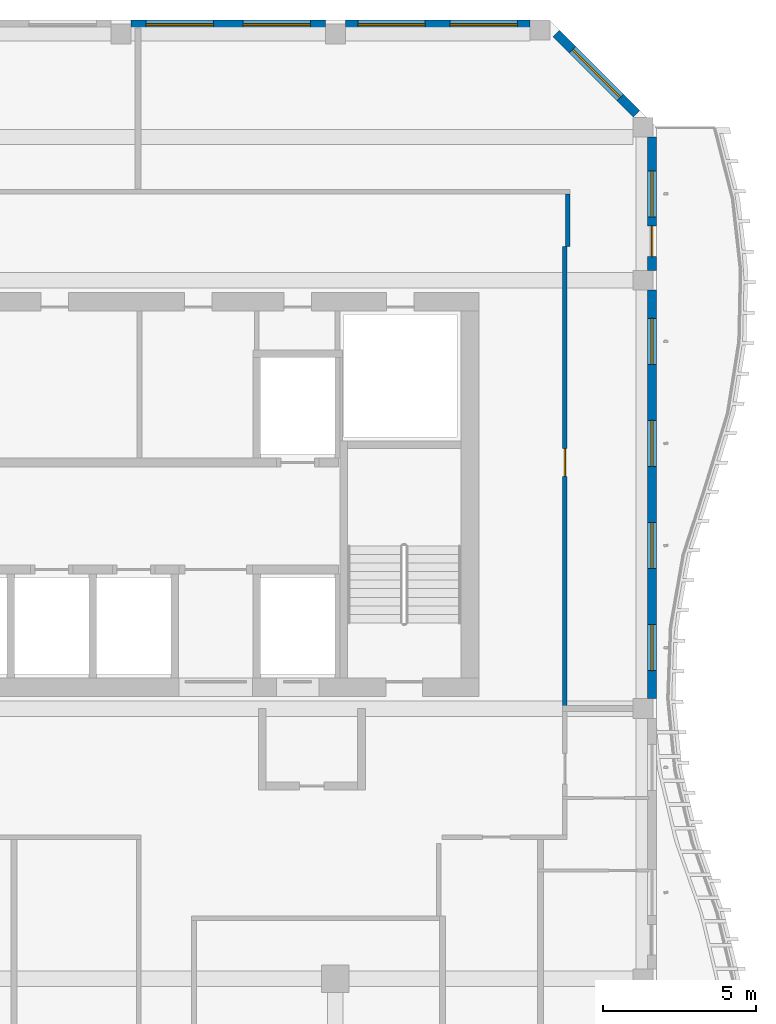
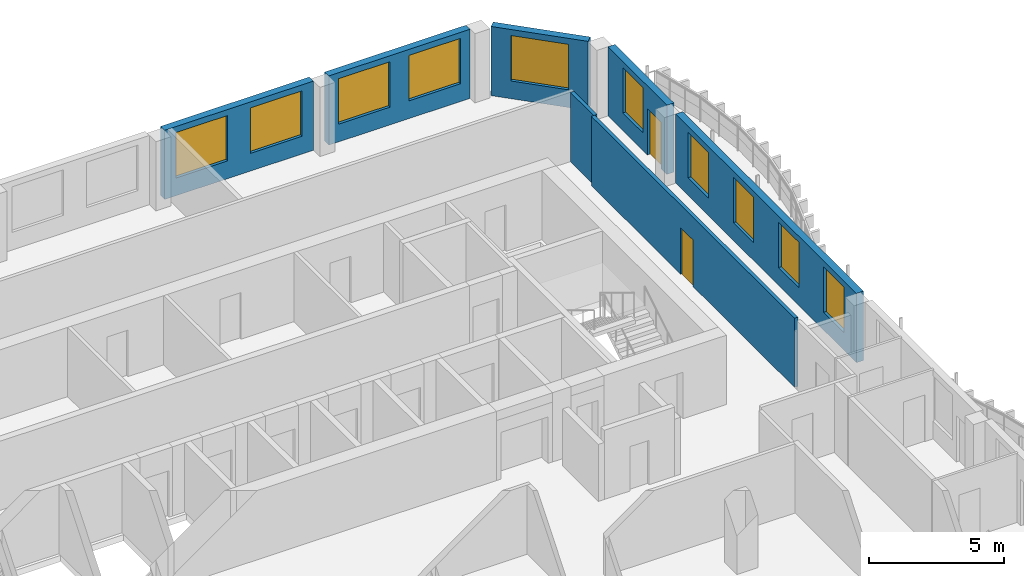
# One storey, part 9 of 18: 10 windows, 7 walls, 2 doors, 12 openings.
"""IFC4 building model written with IfcOpenShell, lengths in metres."""

from ifc_helpers import new_model, si_unit, direction, frame, frame_2d, origin, place, context, subcontext, project, spatial, rectangle, extrude, source, transform, mapped, material, layer, layer_set, type_object, element, fill, save


model = new_model("IFC4")

# Units and contexts
model_context = context("Model", 3, precision=1e-05, world=origin(), true_north=direction((0.0, 1.0)))
body_context = subcontext(model_context, "Body", "Model", "MODEL_VIEW")
ifc_project = project(units=[si_unit("LENGTHUNIT", "METRE"), si_unit("AREAUNIT", "SQUARE_METRE"), si_unit("VOLUMEUNIT", "CUBIC_METRE"), si_unit("PLANEANGLEUNIT", "RADIAN"), si_unit("MASSUNIT", "GRAM", prefix="KILO")], contexts=[model_context])

# Site, building, storey
site_placement = place(None, origin())
site = spatial("IfcSite", under=ifc_project, at=site_placement, CompositionType="ELEMENT")
building_placement = place(site_placement, origin())
building = spatial("IfcBuilding", under=site, at=building_placement, Name="Kilnfold Tower and Market Hall", CompositionType="ELEMENT")
storey_placement = place(building_placement, frame((0.0, 0.0, 270.39990234375)))
storey = spatial("IfcBuildingStorey", under=building, at=storey_placement, Name="L66", CompositionType="ELEMENT", Elevation=270.39990234375)

# Wall
ifc_material_1 = material(Name="Gypsum board on steel studs", Category="steel")
ifc_layer_1 = layer(ifc_material_1, 0.14990234375)
ifc_layer_set_1 = layer_set([ifc_layer_1], Name="Gypsum board on steel studs")
wall_type_1 = type_object("IfcWallType", Name="WALL CORRIDOR 150", PredefinedType="PARTITIONING", material=ifc_layer_set_1)
wall_1_placement = place(storey_placement, frame((20.60009765625, 23.10009765625, 0.0), z_axis=(0.0, 0.0, 1.0), x_axis=(0.0, 1.0, 0.0)))
element("IfcWall", 1, at=wall_1_placement, inside=storey, type_object=wall_type_1, Name="Partition LY41.20", PredefinedType="PARTITIONING", context=body_context, shape_type="SweptSolid", body=[
    extrude(rectangle(XDim=1.724853515625, YDim=0.14990234375, at=frame_2d((0.8623046875, 0.0))), origin(), (0.0, 0.0, 1.0), 3.1201171875),
])

# Wall, opening, door
wall_2_placement = place(storey_placement, frame((20.5, 8.090087890625, 0.0), z_axis=(0.0, 0.0, 1.0), x_axis=(0.0, 1.0, 0.0)))
wall_2 = element("IfcWall", 2, at=wall_2_placement, inside=storey, type_object=wall_type_1, Name="Partition LY41.21", PredefinedType="PARTITIONING", context=body_context, shape_type="SweptSolid", body=[
    extrude(rectangle(XDim=15.010009765625, YDim=0.14990234375, at=frame_2d((7.5048828125, 0.0))), origin(), (0.0, 0.0, 1.0), 3.1201171875),
])
opening_1_placement = place(wall_2_placement, frame((7.5048828125, 0.0, 0.0)))
opening_1 = element("IfcOpeningElement", 3, at=opening_1_placement, cuts=wall_2, Name="Opening D2", PredefinedType="OPENING", context=body_context, shape_type="SweptSolid", body=[
    extrude(rectangle(XDim=0.89990234375, YDim=2.10009765625, at=frame_2d((0.449951171875, 1.050048828125))), frame((0.0, 0.0849609375, 0.0), z_axis=(0.0, -1.0, 0.0), x_axis=(1.0, 0.0, 0.0)), (0.0, 0.0, 1.0), 0.169921875),
])
ifc_material_2 = material(Name="Timber veneer door leaf in steel frame", Category="steel")
door_type_1 = type_object("IfcDoorType", Name="DOOR ROOM 900 X2100", OperationType="NOTDEFINED", PredefinedType="DOOR", material=ifc_material_2)
door_1_placement = place(opening_1_placement, origin())
door_1 = element("IfcDoor", 4, at=door_1_placement, inside=storey, type_object=door_type_1, Name="Door D2", OperationType="SINGLE_SWING_RIGHT", OverallHeight=2.10009765625, OverallWidth=0.89990234375, PredefinedType="DOOR", context=body_context, shape_type="SweptSolid", body=[
    extrude(rectangle(XDim=0.89990234375, YDim=2.10009765625, at=frame_2d((0.449951171875, 1.050048828125))), frame((0.0, 0.02490234375, 0.0), z_axis=(0.0, -1.0, 0.0), x_axis=(1.0, 0.0, 0.0)), (0.0, 0.0, 1.0), 0.050048828125),
])
fill(opening_1, door_1)

# Wall, openings, windows
ifc_material_3 = material(Name="Precast concrete C50/60", Category="concrete")
ifc_layer_2 = layer(ifc_material_3, 0.300048828125)
ifc_layer_set_2 = layer_set([ifc_layer_2], Name="Precast concrete C50/60")
wall_type_2 = type_object("IfcWallType", Name="PRECAST WALL 300", PredefinedType="SOLIDWALL", material=ifc_layer_set_2)
shared_shape_1 = source(origin(), body_context, "Body", "SweptSolid", [
    extrude(rectangle(XDim=6.35009765625, YDim=0.300048828125, at=frame_2d((3.175048828125, 0.0))), origin(), (0.0, 0.0, 1.0), 3.1201171875),
])
wall_3_placement = place(storey_placement, frame((12.675048828125, 30.35009765625, 0.0), z_axis=(0.0, 0.0, 1.0), x_axis=(-1.0, 0.0, 0.0)))
wall_3 = element("IfcWall", 5, at=wall_3_placement, inside=storey, type_object=wall_type_2, Name="External wall L66 N", PredefinedType="SOLIDWALL", context=body_context, shape_type="MappedRepresentation", body=[
    mapped(shared_shape_1, transform((0.0, 0.0, 0.0))),
])
opening_2_placement = place(wall_3_placement, frame((0.487548828125, 0.0, 0.800048828125)))
opening_2 = element("IfcOpeningElement", 6, at=opening_2_placement, cuts=wall_3, Name="Opening W3", PredefinedType="OPENING", context=body_context, shape_type="SweptSolid", body=[
    extrude(rectangle(XDim=2.199951171875, YDim=2.050048828125, at=frame_2d((1.10009765625, 1.02490234375))), frame((0.0, 0.16015625, 0.0), z_axis=(0.0, -1.0, 0.0), x_axis=(1.0, 0.0, 0.0)), (0.0, 0.0, 1.0), 0.320068359375),
])
opening_3_placement = place(wall_3_placement, frame((3.66259765625, 0.0, 0.800048828125)))
opening_3 = element("IfcOpeningElement", 7, at=opening_3_placement, cuts=wall_3, Name="Opening W3", PredefinedType="OPENING", context=body_context, shape_type="SweptSolid", body=[
    extrude(rectangle(XDim=2.199951171875, YDim=2.050048828125, at=frame_2d((1.10009765625, 1.02490234375))), frame((0.0, 0.16015625, 0.0), z_axis=(0.0, -1.0, 0.0), x_axis=(1.0, 0.0, 0.0)), (0.0, 0.0, 1.0), 0.320068359375),
])
ifc_material_4 = material(Name="Aluminium frame and double glazing", Category="aluminium")
window_type_1 = type_object("IfcWindowType", Name="WINDOW W3 2200X2050", PartitioningType="SINGLE_PANEL", PredefinedType="WINDOW", material=ifc_material_4)
window_1_placement = place(opening_2_placement, origin())
window_1 = element("IfcWindow", 8, at=window_1_placement, inside=storey, type_object=window_type_1, Name="Window W3 L66 N-1", OverallHeight=2.050048828125, OverallWidth=2.199951171875, PartitioningType="SINGLE_PANEL", PredefinedType="WINDOW", context=body_context, shape_type="SweptSolid", body=[
    extrude(rectangle(XDim=2.199951171875, YDim=2.050048828125, at=frame_2d((1.10009765625, 1.02490234375))), frame((0.0, 0.030029296875, 0.0), z_axis=(0.0, -1.0, 0.0), x_axis=(1.0, 0.0, 0.0)), (0.0, 0.0, 1.0), 0.06005859375),
])
fill(opening_2, window_1)
window_2_placement = place(opening_3_placement, origin())
window_2 = element("IfcWindow", 9, at=window_2_placement, inside=storey, type_object=window_type_1, Name="Window W3 L66 N-2", OverallHeight=2.050048828125, OverallWidth=2.199951171875, PartitioningType="SINGLE_PANEL", PredefinedType="WINDOW", context=body_context, shape_type="SweptSolid", body=[
    extrude(rectangle(XDim=2.199951171875, YDim=2.050048828125, at=frame_2d((1.10009765625, 1.02490234375))), frame((0.0, 0.030029296875, 0.0), z_axis=(0.0, -1.0, 0.0), x_axis=(1.0, 0.0, 0.0)), (0.0, 0.0, 1.0), 0.06005859375),
])
fill(opening_3, window_2)

# Wall, opening, window
shared_shape_2 = source(origin(), body_context, "Body", "SweptSolid", [
    extrude(rectangle(XDim=3.71240234375, YDim=0.300048828125, at=frame_2d((1.856201171875, 0.0))), origin(), (0.0, 0.0, 1.0), 3.1201171875),
])
wall_4_placement = place(storey_placement, frame((22.843994140625, 27.44384765625, 0.0), z_axis=(0.0, 0.0, 1.0), x_axis=(-0.707106781187, 0.707106781187, 0.0)))
wall_4 = element("IfcWall", 10, at=wall_4_placement, inside=storey, type_object=wall_type_2, Name="External wall L66 NE", PredefinedType="SOLIDWALL", context=body_context, shape_type="MappedRepresentation", body=[
    mapped(shared_shape_2, transform((0.0, 0.0, 0.0))),
])
opening_4_placement = place(wall_4_placement, frame((0.756103515625, 0.0, 0.800048828125)))
opening_4 = element("IfcOpeningElement", 11, at=opening_4_placement, cuts=wall_4, Name="Opening W3", PredefinedType="OPENING", context=body_context, shape_type="SweptSolid", body=[
    extrude(rectangle(XDim=2.199951171875, YDim=2.050048828125, at=frame_2d((1.10009765625, 1.02490234375))), frame((0.0, 0.16015625, 0.0), z_axis=(0.0, -1.0, 0.0), x_axis=(1.0, 0.0, 0.0)), (0.0, 0.0, 1.0), 0.320068359375),
])
window_3_placement = place(opening_4_placement, origin())
window_3 = element("IfcWindow", 12, at=window_3_placement, inside=storey, type_object=window_type_1, Name="Window W3 L66 NE-1", OverallHeight=2.050048828125, OverallWidth=2.199951171875, PartitioningType="SINGLE_PANEL", PredefinedType="WINDOW", context=body_context, shape_type="SweptSolid", body=[
    extrude(rectangle(XDim=2.199951171875, YDim=2.050048828125, at=frame_2d((1.10009765625, 1.02490234375))), frame((0.0, 0.030029296875, 0.0), z_axis=(0.0, -1.0, 0.0), x_axis=(1.0, 0.0, 0.0)), (0.0, 0.0, 1.0), 0.06005859375),
])
fill(opening_4, window_3)

# Wall, openings, windows
shared_shape_3 = source(origin(), body_context, "Body", "SweptSolid", [
    extrude(rectangle(XDim=13.35009765625, YDim=0.300048828125, at=frame_2d((6.675048828125, 0.0))), origin(), (0.0, 0.0, 1.0), 3.1201171875),
])
wall_5_placement = place(storey_placement, frame((23.35009765625, 8.324951171875, 0.0), z_axis=(0.0, 0.0, 1.0), x_axis=(0.0, 1.0, 0.0)))
wall_5 = element("IfcWall", 13, at=wall_5_placement, inside=storey, type_object=wall_type_2, Name="External wall L66 E", PredefinedType="SOLIDWALL", context=body_context, shape_type="MappedRepresentation", body=[
    mapped(shared_shape_3, transform((0.0, 0.0, 0.0))),
])
opening_5_placement = place(wall_5_placement, frame((0.918701171875, 0.0, 0.800048828125)))
opening_5 = element("IfcOpeningElement", 14, at=opening_5_placement, cuts=wall_5, Name="Opening W5", PredefinedType="OPENING", context=body_context, shape_type="SweptSolid", body=[
    extrude(rectangle(XDim=1.5, YDim=2.050048828125, at=frame_2d((0.75, 1.02490234375))), frame((0.0, 0.16015625, 0.0), z_axis=(0.0, -1.0, 0.0), x_axis=(1.0, 0.0, 0.0)), (0.0, 0.0, 1.0), 0.320068359375),
])
opening_6_placement = place(wall_5_placement, frame((4.25634765625, 0.0, 0.800048828125)))
opening_6 = element("IfcOpeningElement", 15, at=opening_6_placement, cuts=wall_5, Name="Opening W5", PredefinedType="OPENING", context=body_context, shape_type="SweptSolid", body=[
    extrude(rectangle(XDim=1.5, YDim=2.050048828125, at=frame_2d((0.75, 1.02490234375))), frame((0.0, 0.16015625, 0.0), z_axis=(0.0, -1.0, 0.0), x_axis=(1.0, 0.0, 0.0)), (0.0, 0.0, 1.0), 0.320068359375),
])
opening_7_placement = place(wall_5_placement, frame((7.59375, 0.0, 0.800048828125)))
opening_7 = element("IfcOpeningElement", 16, at=opening_7_placement, cuts=wall_5, Name="Opening W5", PredefinedType="OPENING", context=body_context, shape_type="SweptSolid", body=[
    extrude(rectangle(XDim=1.5, YDim=2.050048828125, at=frame_2d((0.75, 1.02490234375))), frame((0.0, 0.16015625, 0.0), z_axis=(0.0, -1.0, 0.0), x_axis=(1.0, 0.0, 0.0)), (0.0, 0.0, 1.0), 0.320068359375),
])
opening_8_placement = place(wall_5_placement, frame((10.93115234375, 0.0, 0.800048828125)))
opening_8 = element("IfcOpeningElement", 17, at=opening_8_placement, cuts=wall_5, Name="Opening W5", PredefinedType="OPENING", context=body_context, shape_type="SweptSolid", body=[
    extrude(rectangle(XDim=1.5, YDim=2.050048828125, at=frame_2d((0.75, 1.02490234375))), frame((0.0, 0.16015625, 0.0), z_axis=(0.0, -1.0, 0.0), x_axis=(1.0, 0.0, 0.0)), (0.0, 0.0, 1.0), 0.320068359375),
])
ifc_material_5 = material(Name="Aluminium frame and double glazing", Category="aluminium")
window_type_2 = type_object("IfcWindowType", Name="WINDOW W5 1500X2050", PartitioningType="SINGLE_PANEL", PredefinedType="WINDOW", material=ifc_material_5)
window_4_placement = place(opening_5_placement, origin())
window_4 = element("IfcWindow", 18, at=window_4_placement, inside=storey, type_object=window_type_2, Name="Window W5 L66 E-1", OverallHeight=2.050048828125, OverallWidth=1.5, PartitioningType="SINGLE_PANEL", PredefinedType="WINDOW", context=body_context, shape_type="SweptSolid", body=[
    extrude(rectangle(XDim=1.5, YDim=2.050048828125, at=frame_2d((0.75, 1.02490234375))), frame((0.0, 0.030029296875, 0.0), z_axis=(0.0, -1.0, 0.0), x_axis=(1.0, 0.0, 0.0)), (0.0, 0.0, 1.0), 0.06005859375),
])
fill(opening_5, window_4)
window_5_placement = place(opening_6_placement, origin())
window_5 = element("IfcWindow", 19, at=window_5_placement, inside=storey, type_object=window_type_2, Name="Window W5 L66 E-2", OverallHeight=2.050048828125, OverallWidth=1.5, PartitioningType="SINGLE_PANEL", PredefinedType="WINDOW", context=body_context, shape_type="SweptSolid", body=[
    extrude(rectangle(XDim=1.5, YDim=2.050048828125, at=frame_2d((0.75, 1.02490234375))), frame((0.0, 0.030029296875, 0.0), z_axis=(0.0, -1.0, 0.0), x_axis=(1.0, 0.0, 0.0)), (0.0, 0.0, 1.0), 0.06005859375),
])
fill(opening_6, window_5)
window_6_placement = place(opening_7_placement, origin())
window_6 = element("IfcWindow", 20, at=window_6_placement, inside=storey, type_object=window_type_2, Name="Window W5 L66 E-3", OverallHeight=2.050048828125, OverallWidth=1.5, PartitioningType="SINGLE_PANEL", PredefinedType="WINDOW", context=body_context, shape_type="SweptSolid", body=[
    extrude(rectangle(XDim=1.5, YDim=2.050048828125, at=frame_2d((0.75, 1.02490234375))), frame((0.0, 0.030029296875, 0.0), z_axis=(0.0, -1.0, 0.0), x_axis=(1.0, 0.0, 0.0)), (0.0, 0.0, 1.0), 0.06005859375),
])
fill(opening_7, window_6)
window_7_placement = place(opening_8_placement, origin())
window_7 = element("IfcWindow", 21, at=window_7_placement, inside=storey, type_object=window_type_2, Name="Window W5 L66 E-4", OverallHeight=2.050048828125, OverallWidth=1.5, PartitioningType="SINGLE_PANEL", PredefinedType="WINDOW", context=body_context, shape_type="SweptSolid", body=[
    extrude(rectangle(XDim=1.5, YDim=2.050048828125, at=frame_2d((0.75, 1.02490234375))), frame((0.0, 0.030029296875, 0.0), z_axis=(0.0, -1.0, 0.0), x_axis=(1.0, 0.0, 0.0)), (0.0, 0.0, 1.0), 0.06005859375),
])
fill(opening_8, window_7)

# Wall, openings, door, window
shared_shape_4 = source(origin(), body_context, "Body", "SweptSolid", [
    extrude(rectangle(XDim=4.35009765625, YDim=0.300048828125, at=frame_2d((2.175048828125, 0.0))), origin(), (0.0, 0.0, 1.0), 3.1201171875),
])
wall_6_placement = place(storey_placement, frame((23.35009765625, 22.324951171875, 0.0), z_axis=(0.0, 0.0, 1.0), x_axis=(0.0, 1.0, 0.0)))
wall_6 = element("IfcWall", 22, at=wall_6_placement, inside=storey, type_object=wall_type_2, Name="External wall L66 E", PredefinedType="SOLIDWALL", context=body_context, shape_type="MappedRepresentation", body=[
    mapped(shared_shape_4, transform((0.0, 0.0, 0.0))),
])
opening_9_placement = place(wall_6_placement, frame((1.75, 0.0, 0.800048828125)))
opening_9 = element("IfcOpeningElement", 23, at=opening_9_placement, cuts=wall_6, Name="Opening W5", PredefinedType="OPENING", context=body_context, shape_type="SweptSolid", body=[
    extrude(rectangle(XDim=1.5, YDim=2.050048828125, at=frame_2d((0.75, 1.02490234375))), frame((0.0, 0.16015625, 0.0), z_axis=(0.0, -1.0, 0.0), x_axis=(1.0, 0.0, 0.0)), (0.0, 0.0, 1.0), 0.320068359375),
])
opening_10_placement = place(wall_6_placement, frame((0.449951171875, 0.0, 0.0)))
opening_10 = element("IfcOpeningElement", 24, at=opening_10_placement, cuts=wall_6, Name="Opening BD1", PredefinedType="OPENING", context=body_context, shape_type="SweptSolid", body=[
    extrude(rectangle(XDim=1.0, YDim=2.10009765625, at=frame_2d((0.5, 1.050048828125))), frame((0.0, 0.16015625, 0.0), z_axis=(0.0, -1.0, 0.0), x_axis=(1.0, 0.0, 0.0)), (0.0, 0.0, 1.0), 0.320068359375),
])
ifc_material_6 = material(Name="Aluminium frame and double glazing", Category="aluminium")
door_type_2 = type_object("IfcDoorType", Name="BALCONY DOOR 1000X2100", OperationType="NOTDEFINED", PredefinedType="DOOR", material=ifc_material_6)
door_2_placement = place(opening_10_placement, origin())
door_2 = element("IfcDoor", 25, at=door_2_placement, inside=storey, type_object=door_type_2, Name="Balcony door BD1 L66 E-1", OperationType="SINGLE_SWING_LEFT", OverallHeight=2.10009765625, OverallWidth=1.0, PredefinedType="DOOR", context=body_context, shape_type="SweptSolid", body=[
    extrude(rectangle(XDim=1.0, YDim=2.10009765625, at=frame_2d((0.5, 1.050048828125))), frame((0.0, 0.02490234375, 0.0), z_axis=(0.0, -1.0, 0.0), x_axis=(1.0, 0.0, 0.0)), (0.0, 0.0, 1.0), 0.050048828125),
])
fill(opening_10, door_2)
window_8_placement = place(opening_9_placement, origin())
window_8 = element("IfcWindow", 26, at=window_8_placement, inside=storey, type_object=window_type_2, Name="Window W5 L66 E-1", OverallHeight=2.050048828125, OverallWidth=1.5, PartitioningType="SINGLE_PANEL", PredefinedType="WINDOW", context=body_context, shape_type="SweptSolid", body=[
    extrude(rectangle(XDim=1.5, YDim=2.050048828125, at=frame_2d((0.75, 1.02490234375))), frame((0.0, 0.030029296875, 0.0), z_axis=(0.0, -1.0, 0.0), x_axis=(1.0, 0.0, 0.0)), (0.0, 0.0, 1.0), 0.06005859375),
])
fill(opening_9, window_8)

# Wall, openings, windows
shared_shape_5 = source(origin(), body_context, "Body", "SweptSolid", [
    extrude(rectangle(XDim=6.03173828125, YDim=0.300048828125, at=frame_2d((3.015869140625, 0.0))), origin(), (0.0, 0.0, 1.0), 3.1201171875),
])
wall_7_placement = place(storey_placement, frame((19.356689453125, 30.35009765625, 0.0), z_axis=(0.0, 0.0, 1.0), x_axis=(-1.0, 0.0, 0.0)))
wall_7 = element("IfcWall", 27, at=wall_7_placement, inside=storey, type_object=wall_type_2, Name="External wall L66 N", PredefinedType="SOLIDWALL", context=body_context, shape_type="MappedRepresentation", body=[
    mapped(shared_shape_5, transform((0.0, 0.0, 0.0))),
])
opening_11_placement = place(wall_7_placement, frame((0.407958984375, 0.0, 0.800048828125)))
opening_11 = element("IfcOpeningElement", 28, at=opening_11_placement, cuts=wall_7, Name="Opening W3", PredefinedType="OPENING", context=body_context, shape_type="SweptSolid", body=[
    extrude(rectangle(XDim=2.199951171875, YDim=2.050048828125, at=frame_2d((1.10009765625, 1.02490234375))), frame((0.0, 0.16015625, 0.0), z_axis=(0.0, -1.0, 0.0), x_axis=(1.0, 0.0, 0.0)), (0.0, 0.0, 1.0), 0.320068359375),
])
opening_12_placement = place(wall_7_placement, frame((3.423828125, 0.0, 0.800048828125)))
opening_12 = element("IfcOpeningElement", 29, at=opening_12_placement, cuts=wall_7, Name="Opening W3", PredefinedType="OPENING", context=body_context, shape_type="SweptSolid", body=[
    extrude(rectangle(XDim=2.199951171875, YDim=2.050048828125, at=frame_2d((1.10009765625, 1.02490234375))), frame((0.0, 0.16015625, 0.0), z_axis=(0.0, -1.0, 0.0), x_axis=(1.0, 0.0, 0.0)), (0.0, 0.0, 1.0), 0.320068359375),
])
window_9_placement = place(opening_11_placement, origin())
window_9 = element("IfcWindow", 30, at=window_9_placement, inside=storey, type_object=window_type_1, Name="Window W3 L66 N-1", OverallHeight=2.050048828125, OverallWidth=2.199951171875, PartitioningType="SINGLE_PANEL", PredefinedType="WINDOW", context=body_context, shape_type="SweptSolid", body=[
    extrude(rectangle(XDim=2.199951171875, YDim=2.050048828125, at=frame_2d((1.10009765625, 1.02490234375))), frame((0.0, 0.030029296875, 0.0), z_axis=(0.0, -1.0, 0.0), x_axis=(1.0, 0.0, 0.0)), (0.0, 0.0, 1.0), 0.06005859375),
])
fill(opening_11, window_9)
window_10_placement = place(opening_12_placement, origin())
window_10 = element("IfcWindow", 31, at=window_10_placement, inside=storey, type_object=window_type_1, Name="Window W3 L66 N-2", OverallHeight=2.050048828125, OverallWidth=2.199951171875, PartitioningType="SINGLE_PANEL", PredefinedType="WINDOW", context=body_context, shape_type="SweptSolid", body=[
    extrude(rectangle(XDim=2.199951171875, YDim=2.050048828125, at=frame_2d((1.10009765625, 1.02490234375))), frame((0.0, 0.030029296875, 0.0), z_axis=(0.0, -1.0, 0.0), x_axis=(1.0, 0.0, 0.0)), (0.0, 0.0, 1.0), 0.06005859375),
])
fill(opening_12, window_10)

save(model, "model.ifc")
